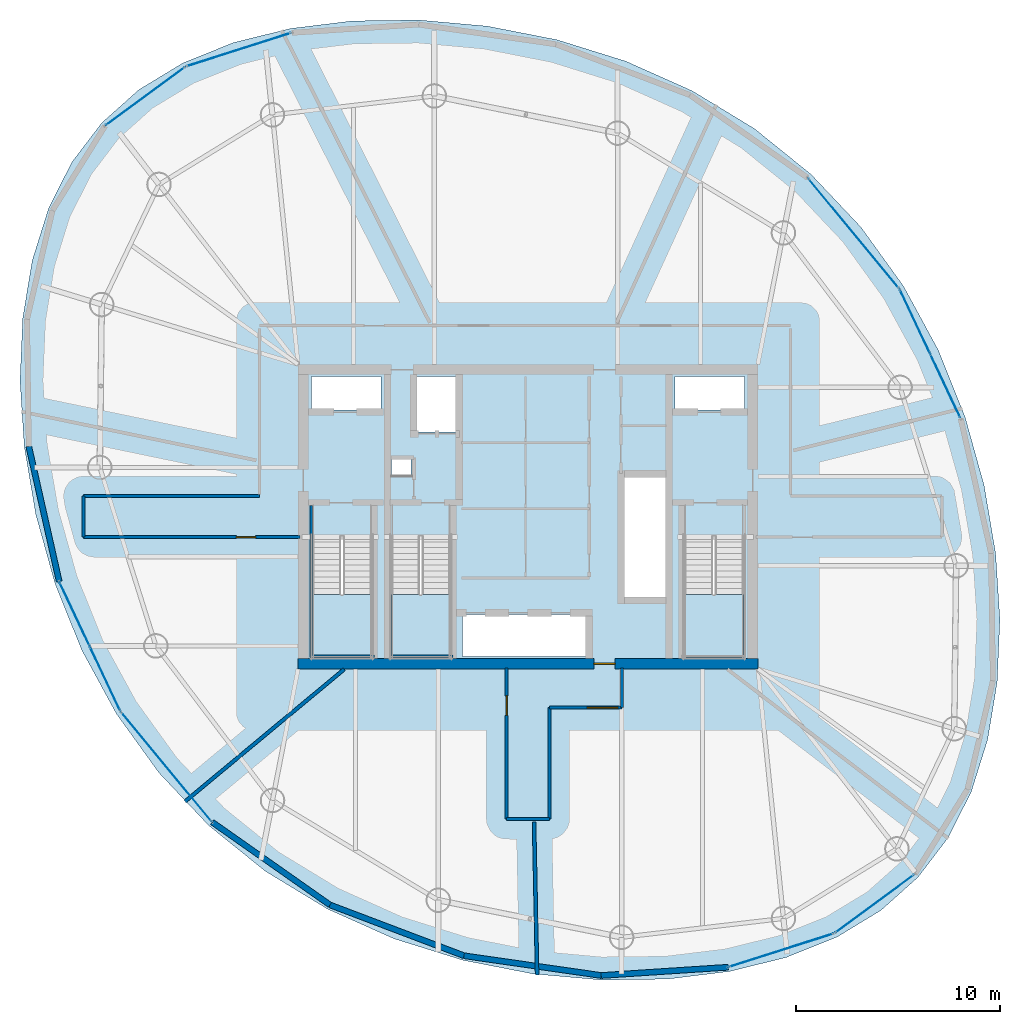
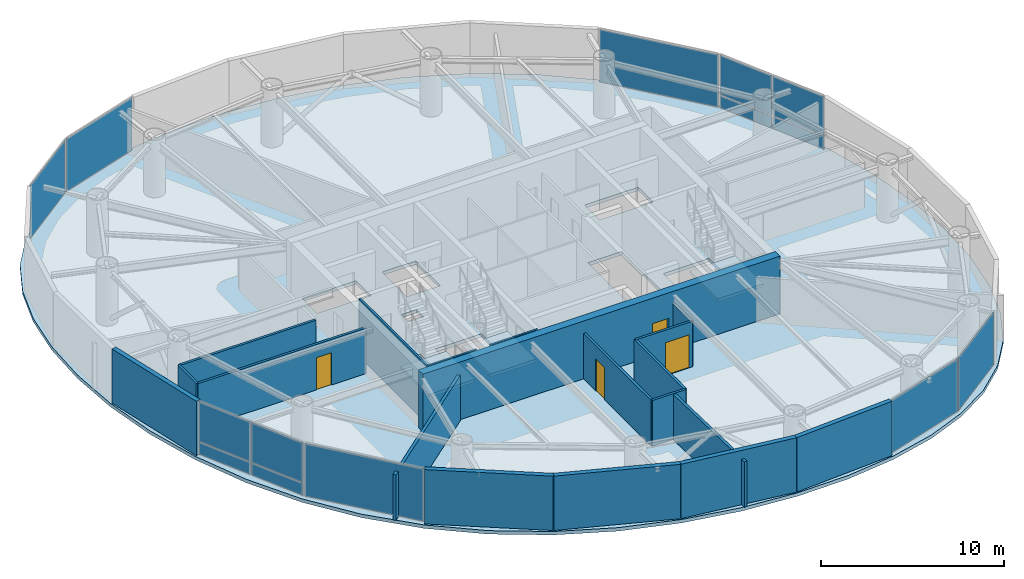
# One storey, part 13 of 20: 19 walls, 14 plates, 4 doors, 4 slabs, 4 openings, 11 elements without a shape of their own.
"""IFC4 building model written with IfcOpenShell, lengths in metres."""

from ifc_helpers import new_model, si_unit, direction, frame, frame_2d, origin, origin_2d, place, context, subcontext, project, spatial, polyline, rectangle, outline, extrude, material, layer, layer_set, type_object, element, fill, aggregate, save


model = new_model("IFC4")

# Units and contexts
model_context = context("Model", 3, precision=1e-05, world=origin(), true_north=direction((0.0, 1.0)))
body_context = subcontext(model_context, "Body", "Model", "MODEL_VIEW")
ifc_project = project(units=[si_unit("LENGTHUNIT", "METRE"), si_unit("AREAUNIT", "SQUARE_METRE"), si_unit("VOLUMEUNIT", "CUBIC_METRE"), si_unit("PLANEANGLEUNIT", "RADIAN"), si_unit("MASSUNIT", "GRAM", prefix="KILO")], contexts=[model_context])

# Site, building, storey
site_placement = place(None, origin())
site = spatial("IfcSite", under=ifc_project, at=site_placement, CompositionType="ELEMENT")
building_placement = place(site_placement, origin())
building = spatial("IfcBuilding", under=site, at=building_placement, Name="Bramvorn Convention Spire", CompositionType="ELEMENT")
storey_placement = place(building_placement, frame((0.0, 0.0, 202.0)))
storey = spatial("IfcBuildingStorey", under=building, at=storey_placement, Name="L51", CompositionType="ELEMENT", Elevation=202.0)

# Curtain wall, plates
ifc_material_1 = material(Name="Anodised Bronze Unitised Curtain Wall", Category="aluminium")
ifc_layer_1 = layer(ifc_material_1, 0.179931640625)
ifc_layer_set_1 = layer_set([ifc_layer_1], Name="Anodised Bronze Unitised Curtain Wall - CW-OFF-FRIT")
curtain_wall_type = type_object("IfcCurtainWallType", Name="CW-OFF-FRIT", PredefinedType="USERDEFINED", material=ifc_layer_set_1)
curtain_wall_1_placement = place(storey_placement, origin())
curtain_wall_1 = element("IfcCurtainWall", 1, at=curtain_wall_1_placement, inside=storey, type_object=curtain_wall_type, Name="L51 fritted glass curtain wall 05", ObjectType="UNITISED CURTAIN WALL", PredefinedType="USERDEFINED")
ifc_material_2 = material(Name="Laminated Low-E Glass (Triple IGU Solar Bronze Frit 28%)", Category="glass")
ifc_layer_2 = layer(ifc_material_2, 0.0400390625)
ifc_layer_set_2 = layer_set([ifc_layer_2], Name="Laminated Low-E Glass (Triple IGU Solar Bronze Frit 28%) - PNL-IGU-3")
plate_type = type_object("IfcPlateType", Name="PNL-IGU-3", PredefinedType="CURTAIN_PANEL", material=ifc_layer_set_2)
plate_1_placement = place(storey_placement, frame((56.939453125, 35.55224609375, 0.06005859375), z_axis=(0.0, 0.0, 1.0), x_axis=(0.426714343766, -0.904386459885, 0.0)))
plate_1 = element("IfcPlate", 2, at=plate_1_placement, type_object=plate_type, Name="CW3 panel 1.1", PredefinedType="CURTAIN_PANEL", context=body_context, shape_type="SweptSolid", body=[
    extrude(rectangle(XDim=3.418701171875, YDim=0.028076171875, at=origin_2d()), origin(), (0.0, 0.0, 1.0), 0.81005859375),
])
plate_2_placement = place(storey_placement, frame((56.939453125, 35.55224609375, 0.93017578125), z_axis=(0.0, 0.0, 1.0), x_axis=(0.426714343766, -0.904386459885, 0.0)))
plate_2 = element("IfcPlate", 3, at=plate_2_placement, type_object=plate_type, Name="CW3 panel 1.2", PredefinedType="CURTAIN_PANEL", context=body_context, shape_type="SweptSolid", body=[
    extrude(rectangle(XDim=3.418701171875, YDim=0.028076171875, at=origin_2d()), origin(), (0.0, 0.0, 1.0), 2.6298828125),
])
plate_3_placement = place(storey_placement, frame((58.423828125, 32.406005859375, 0.06005859375), z_axis=(0.0, 0.0, 1.0), x_axis=(0.426714343766, -0.904386459885, 0.0)))
plate_3 = element("IfcPlate", 4, at=plate_3_placement, type_object=plate_type, Name="CW3 panel 2.1", PredefinedType="CURTAIN_PANEL", context=body_context, shape_type="SweptSolid", body=[
    extrude(rectangle(XDim=3.418701171875, YDim=0.028076171875, at=origin_2d()), origin(), (0.0, 0.0, 1.0), 0.81005859375),
])
plate_4_placement = place(storey_placement, frame((58.423828125, 32.406005859375, 0.93017578125), z_axis=(0.0, 0.0, 1.0), x_axis=(0.426714343766, -0.904386459885, 0.0)))
plate_4 = element("IfcPlate", 5, at=plate_4_placement, type_object=plate_type, Name="CW3 panel 2.2", PredefinedType="CURTAIN_PANEL", context=body_context, shape_type="SweptSolid", body=[
    extrude(rectangle(XDim=3.418701171875, YDim=0.028076171875, at=origin_2d()), origin(), (0.0, 0.0, 1.0), 2.6298828125),
])
aggregate(curtain_wall_1, [plate_1, plate_2, plate_3, plate_4])

# Curtain wall, plate
curtain_wall_2_placement = place(storey_placement, origin())
curtain_wall_2 = element("IfcCurtainWall", 6, at=curtain_wall_2_placement, inside=storey, type_object=curtain_wall_type, Name="L51 fritted glass curtain wall 06", ObjectType="UNITISED CURTAIN WALL", PredefinedType="USERDEFINED")
plate_5_placement = place(storey_placement, frame((53.938720703125, 39.86669921875, 0.06005859375), z_axis=(0.0, 0.0, 1.0), x_axis=(0.637486087229, -0.770461867057, 0.0)))
plate_5 = element("IfcPlate", 7, at=plate_5_placement, type_object=plate_type, Name="CW3 panel 1.1", PredefinedType="CURTAIN_PANEL", context=body_context, shape_type="SweptSolid", body=[
    extrude(rectangle(XDim=6.925537109375, YDim=0.028076171875, at=origin_2d()), origin(), (0.0, 0.0, 1.0), 3.5),
])
aggregate(curtain_wall_2, [plate_5])

curtain_wall_3_placement = place(storey_placement, origin())
curtain_wall_3 = element("IfcCurtainWall", 8, at=curtain_wall_3_placement, inside=storey, type_object=curtain_wall_type, Name="L51 fritted glass curtain wall 11", ObjectType="UNITISED CURTAIN WALL", PredefinedType="USERDEFINED")
plate_6_placement = place(storey_placement, frame((23.83544921875, 48.8515625, 0.06005859375), z_axis=(0.0, 0.0, 1.0), x_axis=(0.952679846879, 0.303975507813, 0.0)))
plate_6 = element("IfcPlate", 9, at=plate_6_placement, type_object=plate_type, Name="CW3 panel 1.1", PredefinedType="CURTAIN_PANEL", context=body_context, shape_type="SweptSolid", body=[
    extrude(rectangle(XDim=5.344482421875, YDim=0.028076171875, at=origin_2d()), origin(), (0.0, 0.0, 1.0), 3.5),
])
aggregate(curtain_wall_3, [plate_6])

curtain_wall_4_placement = place(storey_placement, origin())
curtain_wall_4 = element("IfcCurtainWall", 10, at=curtain_wall_4_placement, inside=storey, type_object=curtain_wall_type, Name="L51 fritted glass curtain wall 12", ObjectType="UNITISED CURTAIN WALL", PredefinedType="USERDEFINED")
plate_7_placement = place(storey_placement, frame((19.26953125, 46.574951171875, 0.06005859375), z_axis=(0.0, 0.0, 1.0), x_axis=(0.805067692583, 0.593182948473, 0.0)))
plate_7 = element("IfcPlate", 11, at=plate_7_placement, type_object=plate_type, Name="CW3 panel 1.1", PredefinedType="CURTAIN_PANEL", context=body_context, shape_type="SweptSolid", body=[
    extrude(rectangle(XDim=4.75634765625, YDim=0.028076171875, at=origin_2d()), origin(), (0.0, 0.0, 1.0), 3.5),
])
aggregate(curtain_wall_4, [plate_7])

# Curtain wall, plates
curtain_wall_5_placement = place(storey_placement, origin())
curtain_wall_5 = element("IfcCurtainWall", 12, at=curtain_wall_5_placement, inside=storey, type_object=curtain_wall_type, Name="L51 fritted glass curtain wall 17", ObjectType="UNITISED CURTAIN WALL", PredefinedType="USERDEFINED")
plate_8_placement = place(storey_placement, frame((17.29833984375, 18.076904296875, 0.06005859375), z_axis=(0.0, 0.0, 1.0), x_axis=(-0.426720499609, 0.904383555364, 0.0)))
plate_8 = element("IfcPlate", 13, at=plate_8_placement, type_object=plate_type, Name="CW3 panel 1.1", PredefinedType="CURTAIN_PANEL", context=body_context, shape_type="SweptSolid", body=[
    extrude(rectangle(XDim=3.4189453125, YDim=0.028076171875, at=origin_2d()), origin(), (0.0, 0.0, 1.0), 0.81005859375),
])
plate_9_placement = place(storey_placement, frame((17.29833984375, 18.076904296875, 0.93017578125), z_axis=(0.0, 0.0, 1.0), x_axis=(-0.426720499609, 0.904383555364, 0.0)))
plate_9 = element("IfcPlate", 14, at=plate_9_placement, type_object=plate_type, Name="CW3 panel 1.2", PredefinedType="CURTAIN_PANEL", context=body_context, shape_type="SweptSolid", body=[
    extrude(rectangle(XDim=3.4189453125, YDim=0.028076171875, at=origin_2d()), origin(), (0.0, 0.0, 1.0), 2.6298828125),
])
plate_10_placement = place(storey_placement, frame((15.813720703125, 21.22314453125, 0.06005859375), z_axis=(0.0, 0.0, 1.0), x_axis=(-0.426720499609, 0.904383555364, 0.0)))
plate_10 = element("IfcPlate", 15, at=plate_10_placement, type_object=plate_type, Name="CW3 panel 2.1", PredefinedType="CURTAIN_PANEL", context=body_context, shape_type="SweptSolid", body=[
    extrude(rectangle(XDim=3.4189453125, YDim=0.028076171875, at=origin_2d()), origin(), (0.0, 0.0, 1.0), 0.81005859375),
])
plate_11_placement = place(storey_placement, frame((15.813720703125, 21.22314453125, 0.93017578125), z_axis=(0.0, 0.0, 1.0), x_axis=(-0.426720499609, 0.904383555364, 0.0)))
plate_11 = element("IfcPlate", 16, at=plate_11_placement, type_object=plate_type, Name="CW3 panel 2.2", PredefinedType="CURTAIN_PANEL", context=body_context, shape_type="SweptSolid", body=[
    extrude(rectangle(XDim=3.4189453125, YDim=0.028076171875, at=origin_2d()), origin(), (0.0, 0.0, 1.0), 2.6298828125),
])
aggregate(curtain_wall_5, [plate_8, plate_9, plate_10, plate_11])

# Curtain wall, plate
curtain_wall_6_placement = place(storey_placement, origin())
curtain_wall_6 = element("IfcCurtainWall", 17, at=curtain_wall_6_placement, inside=storey, type_object=curtain_wall_type, Name="L51 fritted glass curtain wall 18", ObjectType="UNITISED CURTAIN WALL", PredefinedType="USERDEFINED")
plate_12_placement = place(storey_placement, frame((20.299072265625, 13.762451171875, 0.06005859375), z_axis=(0.0, 0.0, 1.0), x_axis=(-0.637484633072, 0.770463070236, 0.0)))
plate_12 = element("IfcPlate", 18, at=plate_12_placement, type_object=plate_type, Name="CW3 panel 1.1", PredefinedType="CURTAIN_PANEL", context=body_context, shape_type="SweptSolid", body=[
    extrude(rectangle(XDim=6.925537109375, YDim=0.028076171875, at=origin_2d()), origin(), (0.0, 0.0, 1.0), 3.5),
])
aggregate(curtain_wall_6, [plate_12])

curtain_wall_7_placement = place(storey_placement, origin())
curtain_wall_7 = element("IfcCurtainWall", 19, at=curtain_wall_7_placement, inside=storey, type_object=curtain_wall_type, Name="L51 fritted glass curtain wall 23", ObjectType="UNITISED CURTAIN WALL", PredefinedType="USERDEFINED")
plate_13_placement = place(storey_placement, frame((50.402099609375, 4.77734375, 0.06005859375), z_axis=(0.0, 0.0, 1.0), x_axis=(-0.952679846879, -0.303975507813, 0.0)))
plate_13 = element("IfcPlate", 20, at=plate_13_placement, type_object=plate_type, Name="CW3 panel 1.1", PredefinedType="CURTAIN_PANEL", context=body_context, shape_type="SweptSolid", body=[
    extrude(rectangle(XDim=5.344482421875, YDim=0.028076171875, at=origin_2d()), origin(), (0.0, 0.0, 1.0), 3.5),
])
aggregate(curtain_wall_7, [plate_13])

curtain_wall_8_placement = place(storey_placement, origin())
curtain_wall_8 = element("IfcCurtainWall", 21, at=curtain_wall_8_placement, inside=storey, type_object=curtain_wall_type, Name="L51 fritted glass curtain wall 24", ObjectType="UNITISED CURTAIN WALL", PredefinedType="USERDEFINED")
plate_14_placement = place(storey_placement, frame((54.968017578125, 7.05419921875, 0.06005859375), z_axis=(0.0, 0.0, 1.0), x_axis=(-0.805067692583, -0.593182948473, 0.0)))
plate_14 = element("IfcPlate", 22, at=plate_14_placement, type_object=plate_type, Name="CW3 panel 1.1", PredefinedType="CURTAIN_PANEL", context=body_context, shape_type="SweptSolid", body=[
    extrude(rectangle(XDim=4.75634765625, YDim=0.028076171875, at=origin_2d()), origin(), (0.0, 0.0, 1.0), 3.5),
])
aggregate(curtain_wall_8, [plate_14])

# Stair, slab
ifc_material_3 = material(Name="Concrete C40/50 Precast Stair", Category="concrete")
stair_type = type_object("IfcStairType", Name="ST-TOWER-1550", PredefinedType="HALF_TURN_STAIR", material=ifc_material_3)
stair_1_placement = place(storey_placement, origin())
stair_1 = element("IfcStair", 23, at=stair_1_placement, inside=storey, type_object=stair_type, Name="L51 Protected Exit Stair ST1", PredefinedType="HALF_TURN_STAIR")
ifc_material_4 = material(Name="Concrete C40/50 Stair Landing", Category="concrete")
ifc_layer_3 = layer(ifc_material_4, 0.219970703125)
ifc_layer_set_3 = layer_set([ifc_layer_3], Name="Concrete C40/50 Stair Landing - SLB-STAIR-LANDING")
slab_type_1 = type_object("IfcSlabType", Name="SLB-STAIR-LANDING", PredefinedType="LANDING", material=ifc_layer_set_3)
slab_1_placement = place(storey_placement, frame((0.0, 0.0, 1.72509765625)))
slab_1 = element("IfcSlab", 24, at=slab_1_placement, type_object=slab_type_1, Name="ST1 landing 1", PredefinedType="LANDING", context=body_context, shape_type="SweptSolid", body=[
    extrude(outline(polyline([(27.449951171875, 22.199951171875), (27.449951171875, 19.10009765625), (30.35009765625, 19.10009765625), (30.35009765625, 22.199951171875), (27.449951171875, 22.199951171875)])), origin(), (0.0, 0.0, 1.0), 0.199951171875),
])
aggregate(stair_1, [slab_1])

stair_2_placement = place(storey_placement, origin())
stair_2 = element("IfcStair", 25, at=stair_2_placement, inside=storey, type_object=stair_type, Name="L51 Protected Exit Stair ST2", PredefinedType="HALF_TURN_STAIR")
slab_2_placement = place(storey_placement, frame((0.0, 0.0, 1.72509765625)))
slab_2 = element("IfcSlab", 26, at=slab_2_placement, type_object=slab_type_1, Name="ST2 landing 1", PredefinedType="LANDING", context=body_context, shape_type="SweptSolid", body=[
    extrude(outline(polyline([(45.64990234375, 22.199951171875), (45.64990234375, 19.10009765625), (48.550048828125, 19.10009765625), (48.550048828125, 22.199951171875), (45.64990234375, 22.199951171875)])), origin(), (0.0, 0.0, 1.0), 0.199951171875),
])
aggregate(stair_2, [slab_2])

stair_3_placement = place(storey_placement, origin())
stair_3 = element("IfcStair", 27, at=stair_3_placement, inside=storey, type_object=stair_type, Name="L51 Protected Exit Stair ST3", PredefinedType="HALF_TURN_STAIR")
slab_3_placement = place(storey_placement, frame((0.0, 0.0, 1.72509765625)))
slab_3 = element("IfcSlab", 28, at=slab_3_placement, type_object=slab_type_1, Name="ST3 landing 1", PredefinedType="LANDING", context=body_context, shape_type="SweptSolid", body=[
    extrude(outline(polyline([(31.300048828125, 22.199951171875), (31.300048828125, 19.10009765625), (34.199951171875, 19.10009765625), (34.199951171875, 22.199951171875), (31.300048828125, 22.199951171875)])), origin(), (0.0, 0.0, 1.0), 0.199951171875),
])
aggregate(stair_3, [slab_3])

# Slab
ifc_material_5 = material(Name="Concrete C40/50", Category="concrete")
ifc_layer_4 = layer(ifc_material_5, 0.22998046875)
ifc_layer_set_4 = layer_set([ifc_layer_4], Name="Concrete C40/50 - SLB-Z3-230")
slab_type_2 = type_object("IfcSlabType", Name="SLB-Z3-230", PredefinedType="FLOOR", material=ifc_layer_set_4)
slab_4_placement = place(storey_placement, frame((0.0, 0.0, -0.22998046875)))
element("IfcSlab", 29, at=slab_4_placement, inside=storey, type_object=slab_type_2, Name="L51 tower floor slab", PredefinedType="FLOOR", context=body_context, shape_type="SweptSolid", body=[
    extrude(outline(polyline([(57.09228515625, 8.351318359375), (58.564697265625, 10.286865234375), (59.698486328125, 12.535888671875), (60.497802734375, 15.08544921875), (60.965576171875, 17.909423828125), (61.098876953125, 20.9658203125), (60.889892578125, 24.19580078125), (60.326416015625, 27.527099609375), (59.394287109375, 30.876708984375), (58.080810546875, 34.15673828125), (56.38037109375, 37.280517578125), (54.29833984375, 40.1689453125), (51.854248046875, 42.755126953125), (49.084228515625, 44.989013671875), (46.041259765625, 46.837890625), (42.793701171875, 48.287841796875), (39.420654296875, 49.340087890625), (36.00830078125, 50.006591796875), (32.64306640625, 50.306884765625), (29.406494140625, 50.26171875), (26.370361328125, 49.88916015625), (23.591552734375, 49.201416015625), (21.112548828125, 48.204345703125), (18.95947265625, 46.897705078125), (17.145263671875, 45.27783203125), (15.6728515625, 43.34228515625), (14.539306640625, 41.09326171875), (13.73974609375, 38.543701171875), (13.272216796875, 35.719482421875), (13.138916015625, 32.663330078125), (13.34765625, 29.433349609375), (13.9111328125, 26.10205078125), (14.843505859375, 22.75244140625), (16.156982421875, 19.472412109375), (17.857177734375, 16.348388671875), (19.939208984375, 13.460205078125), (22.38330078125, 10.873779296875), (25.1533203125, 8.64013671875), (28.1962890625, 6.791259765625), (31.444091796875, 5.34130859375), (34.81689453125, 4.2890625), (38.2294921875, 3.62255859375), (41.594482421875, 3.322265625), (44.8310546875, 3.367431640625), (47.867431640625, 3.739990234375), (50.64599609375, 4.427734375), (53.125244140625, 5.4248046875), (55.2783203125, 6.7314453125), (57.09228515625, 8.351318359375)]), holes=[polyline([(27.449951171875, 25.050048828125), (27.449951171875, 19.10009765625), (30.35009765625, 19.10009765625), (30.35009765625, 25.050048828125), (27.449951171875, 25.050048828125)]), polyline([(45.64990234375, 25.050048828125), (45.64990234375, 19.10009765625), (48.550048828125, 19.10009765625), (48.550048828125, 25.050048828125), (45.64990234375, 25.050048828125)]), polyline([(31.300048828125, 25.050048828125), (31.300048828125, 19.10009765625), (34.199951171875, 19.10009765625), (34.199951171875, 25.050048828125), (31.300048828125, 25.050048828125)]), polyline([(27.39990234375, 31.219970703125), (30.800048828125, 31.219970703125), (30.800048828125, 32.85009765625), (27.39990234375, 32.85009765625), (27.39990234375, 31.219970703125)]), polyline([(45.199951171875, 31.219970703125), (48.60009765625, 31.219970703125), (48.60009765625, 32.85009765625), (45.199951171875, 32.85009765625), (45.199951171875, 31.219970703125)]), polyline([(32.449951171875, 30.14990234375), (34.56005859375, 30.14990234375), (34.56005859375, 32.85009765625), (32.449951171875, 32.85009765625), (32.449951171875, 30.14990234375)]), polyline([(34.800048828125, 19.14990234375), (40.97998046875, 19.14990234375), (40.97998046875, 21.199951171875), (34.800048828125, 21.199951171875), (34.800048828125, 19.14990234375)]), polyline([(42.6201171875, 22.0), (44.75, 22.0), (44.75, 28.0), (42.6201171875, 28.0), (42.6201171875, 22.0)]), polyline([(31.320068359375, 28.02001953125), (32.280029296875, 28.02001953125), (32.280029296875, 28.820068359375), (31.320068359375, 28.820068359375), (31.320068359375, 28.02001953125)])]), origin(), (0.0, 0.0, 1.0), 0.22998046875),
])

# Wall, opening, door
ifc_material_6 = material(Name="Concrete C50/60", Category="concrete")
ifc_layer_5 = layer(ifc_material_6, 0.5)
ifc_layer_set_5 = layer_set([ifc_layer_5], Name="Concrete C50/60 - WL-CORE-500")
wall_type_1 = type_object("IfcWallType", Name="WL-CORE-500", PredefinedType="SHEAR", material=ifc_layer_set_5)
wall_1_placement = place(storey_placement, frame((26.75, 18.800048828125, 0.0), z_axis=(0.0, 0.0, 1.0), x_axis=(1.0, 0.0, 0.0)))
wall_1 = element("IfcWall", 30, at=wall_1_placement, inside=storey, type_object=wall_type_1, Name="L51 South RC core shear wall", PredefinedType="SHEAR", context=body_context, shape_type="SweptSolid", body=[
    extrude(rectangle(XDim=22.5, YDim=0.5, at=frame_2d((11.25, 0.0))), origin(), (0.0, 0.0, 1.0), 3.85009765625),
])
opening_1_placement = place(wall_1_placement, frame((14.469970703125, 0.0, 0.0)))
opening_1 = element("IfcOpeningElement", 31, at=opening_1_placement, cuts=wall_1, Name="Opening DL-105", PredefinedType="OPENING", context=body_context, shape_type="SweptSolid", body=[
    extrude(rectangle(XDim=1.050048828125, YDim=2.14990234375, at=frame_2d((0.52490234375, 1.074951171875))), frame((0.0, 0.260009765625, 0.0), z_axis=(0.0, -1.0, 0.0), x_axis=(1.0, 0.0, 0.0)), (0.0, 0.0, 1.0), 0.52001953125),
])
ifc_material_7 = material(Name="Smoke-Sealed Fire Lobby Timber-Core Door", Category="wood")
door_type_1 = type_object("IfcDoorType", Name="DR-LOBBY-1050", OperationType="NOTDEFINED", PredefinedType="DOOR", material=ifc_material_7)
door_1_placement = place(opening_1_placement, origin())
door_1 = element("IfcDoor", 32, at=door_1_placement, inside=storey, type_object=door_type_1, Name="L51 South Lift Lobby fire door", OperationType="SINGLE_SWING_RIGHT", OverallHeight=2.14990234375, OverallWidth=1.050048828125, PredefinedType="DOOR", context=body_context, shape_type="SweptSolid", body=[
    extrude(rectangle(XDim=1.050048828125, YDim=2.14990234375, at=frame_2d((0.52490234375, 1.074951171875))), frame((0.0, 0.02490234375, 0.0), z_axis=(0.0, -1.0, 0.0), x_axis=(1.0, 0.0, 0.0)), (0.0, 0.0, 1.0), 0.050048828125),
])
fill(opening_1, door_1)

# Walls
ifc_material_8 = material(Name="Precast Concrete C40/50 with Bronze Terracotta Rainscreen", Category="masonry")
ifc_layer_6 = layer(ifc_material_8, 0.300048828125)
ifc_layer_set_6 = layer_set([ifc_layer_6], Name="Precast Concrete C40/50 with Bronze Terracotta Rainscreen - WL-EXT-BRONZE-300")
wall_type_2 = type_object("IfcWallType", Name="WL-EXT-BRONZE-300", PredefinedType="SOLIDWALL", material=ifc_layer_set_6)
wall_2_placement = place(storey_placement, frame((15.05859375, 22.823486328125, 0.0), z_axis=(0.0, 0.0, 1.0), x_axis=(-0.219802471022, 0.975544398648, 0.0)))
element("IfcWall", 33, at=wall_2_placement, inside=storey, type_object=wall_type_2, Name="L51 expressed bronze Gothic lancet pier wall 16", PredefinedType="SOLIDWALL", context=body_context, shape_type="SweptSolid", body=[
    extrude(rectangle(XDim=6.784423828125, YDim=0.280029296875, at=frame_2d((3.39208984375, 0.0))), origin(), (0.0, 0.0, 1.0), 3.6201171875),
])
wall_3_placement = place(storey_placement, frame((28.30859375, 6.99658203125, 0.0), z_axis=(0.0, 0.0, 1.0), x_axis=(-0.818095643042, 0.575082184418, 0.0)))
element("IfcWall", 34, at=wall_3_placement, inside=storey, type_object=wall_type_2, Name="L51 expressed bronze Gothic lancet pier wall 19", PredefinedType="SOLIDWALL", context=body_context, shape_type="SweptSolid", body=[
    extrude(rectangle(XDim=7.04541015625, YDim=0.280029296875, at=frame_2d((3.522705078125, 0.0))), origin(), (0.0, 0.0, 1.0), 3.6201171875),
])
wall_4_placement = place(storey_placement, frame((34.87060546875, 4.50927734375, 0.0), z_axis=(0.0, 0.0, 1.0), x_axis=(-0.935079448988, 0.354438180902, 0.0)))
element("IfcWall", 35, at=wall_4_placement, inside=storey, type_object=wall_type_2, Name="L51 expressed bronze Gothic lancet pier wall 20", PredefinedType="SOLIDWALL", context=body_context, shape_type="SweptSolid", body=[
    extrude(rectangle(XDim=7.017578125, YDim=0.280029296875, at=frame_2d((3.5087890625, 0.0))), origin(), (0.0, 0.0, 1.0), 3.6201171875),
])
wall_5_placement = place(storey_placement, frame((41.5859375, 3.5419921875, 0.0), z_axis=(0.0, 0.0, 1.0), x_axis=(-0.989784738796, 0.142569880575, 0.0)))
element("IfcWall", 36, at=wall_5_placement, inside=storey, type_object=wall_type_2, Name="L51 expressed bronze Gothic lancet pier wall 21", PredefinedType="SOLIDWALL", context=body_context, shape_type="SweptSolid", body=[
    extrude(rectangle(XDim=6.78466796875, YDim=0.280029296875, at=frame_2d((3.392333984375, 0.0))), origin(), (0.0, 0.0, 1.0), 3.6201171875),
])
wall_6_placement = place(storey_placement, frame((47.799072265625, 3.947021484375, 0.0), z_axis=(0.0, 0.0, 1.0), x_axis=(-0.997881932346, -0.065051126793, 0.0)))
element("IfcWall", 37, at=wall_6_placement, inside=storey, type_object=wall_type_2, Name="L51 expressed bronze Gothic lancet pier wall 22", PredefinedType="SOLIDWALL", context=body_context, shape_type="SweptSolid", body=[
    extrude(rectangle(XDim=6.226318359375, YDim=0.280029296875, at=frame_2d((3.11328125, 0.0))), origin(), (0.0, 0.0, 1.0), 3.6201171875),
])
ifc_material_9 = material(Name="Acoustic Metal-Stud Tenant/Corridor Partition", Category="gypsum")
ifc_layer_7 = layer(ifc_material_9, 0.14990234375)
ifc_layer_set_7 = layer_set([ifc_layer_7], Name="Acoustic Metal-Stud Tenant/Corridor Partition - WL-PART-150")
wall_type_3 = type_object("IfcWallType", Name="WL-PART-150", PredefinedType="PARTITIONING", material=ifc_layer_set_7)
wall_7_placement = place(storey_placement, frame((16.2568359375, 27.0, 0.0), z_axis=(0.0, 0.0, 1.0), x_axis=(1.0, 0.0, 0.0)))
element("IfcWall", 38, at=wall_7_placement, inside=storey, type_object=wall_type_3, Name="L51 West wing spine north wall", PredefinedType="PARTITIONING", context=body_context, shape_type="SweptSolid", body=[
    extrude(rectangle(XDim=8.59326171875, YDim=0.14990234375, at=frame_2d((4.296630859375, 0.0))), origin(), (0.0, 0.0, 1.0), 3.034912109375),
])

# Wall, opening, door
wall_8_placement = place(storey_placement, frame((16.2568359375, 25.0, 0.0), z_axis=(0.0, 0.0, 1.0), x_axis=(1.0, 0.0, 0.0)))
wall_8 = element("IfcWall", 39, at=wall_8_placement, inside=storey, type_object=wall_type_3, Name="L51 West wing spine south wall", PredefinedType="PARTITIONING", context=body_context, shape_type="SweptSolid", body=[
    extrude(rectangle(XDim=10.59326171875, YDim=0.14990234375, at=frame_2d((5.296630859375, 0.0))), origin(), (0.0, 0.0, 1.0), 3.034912109375),
])
opening_2_placement = place(wall_8_placement, frame((7.469970703125, 0.0, 0.0)))
opening_2 = element("IfcOpeningElement", 40, at=opening_2_placement, cuts=wall_8, Name="Opening DH-095", PredefinedType="OPENING", context=body_context, shape_type="SweptSolid", body=[
    extrude(rectangle(XDim=0.949951171875, YDim=2.14990234375, at=frame_2d((0.47509765625, 1.074951171875))), frame((0.0, 0.0849609375, 0.0), z_axis=(0.0, -1.0, 0.0), x_axis=(1.0, 0.0, 0.0)), (0.0, 0.0, 1.0), 0.169921875),
])
ifc_material_10 = material(Name="Solid-Core Acoustic Guestroom Entry Door", Category="wood")
door_type_2 = type_object("IfcDoorType", Name="DR-HOTEL-950", OperationType="NOTDEFINED", PredefinedType="DOOR", material=ifc_material_10)
door_2_placement = place(opening_2_placement, origin())
door_2 = element("IfcDoor", 41, at=door_2_placement, inside=storey, type_object=door_type_2, Name="L51 C-Suite Meeting Boardroom 4 door", OperationType="SINGLE_SWING_RIGHT", OverallHeight=2.14990234375, OverallWidth=0.949951171875, PredefinedType="DOOR", context=body_context, shape_type="SweptSolid", body=[
    extrude(rectangle(XDim=0.949951171875, YDim=2.14990234375, at=frame_2d((0.47509765625, 1.074951171875))), frame((0.0, 0.02490234375, 0.0), z_axis=(0.0, -1.0, 0.0), x_axis=(1.0, 0.0, 0.0)), (0.0, 0.0, 1.0), 0.050048828125),
])
fill(opening_2, door_2)

# Wall
wall_9_placement = place(storey_placement, frame((16.2568359375, 25.0, 0.0), z_axis=(0.0, 0.0, 1.0), x_axis=(0.0, 1.0, 0.0)))
element("IfcWall", 42, at=wall_9_placement, inside=storey, type_object=wall_type_3, Name="L51 West wing spine end wall", PredefinedType="PARTITIONING", context=body_context, shape_type="SweptSolid", body=[
    extrude(rectangle(XDim=2.0, YDim=0.14990234375, at=frame_2d((1.0, 0.0))), origin(), (0.0, 0.0, 1.0), 3.034912109375),
])

# Wall, opening, door
wall_10_placement = place(storey_placement, frame((36.949951171875, 11.199951171875, 0.0), z_axis=(0.0, 0.0, 1.0), x_axis=(0.0, 1.0, 0.0)))
wall_10 = element("IfcWall", 43, at=wall_10_placement, inside=storey, type_object=wall_type_3, Name="L51 South axial spine west wall", PredefinedType="PARTITIONING", context=body_context, shape_type="SweptSolid", body=[
    extrude(rectangle(XDim=7.400146484375, YDim=0.14990234375, at=frame_2d((3.7001953125, 0.0))), origin(), (0.0, 0.0, 1.0), 3.034912109375),
])
opening_3_placement = place(wall_10_placement, frame((5.074951171875, 0.0, 0.0)))
opening_3 = element("IfcOpeningElement", 44, at=opening_3_placement, cuts=wall_10, Name="Opening DH-095", PredefinedType="OPENING", context=body_context, shape_type="SweptSolid", body=[
    extrude(rectangle(XDim=0.949951171875, YDim=2.14990234375, at=frame_2d((0.47509765625, 1.074951171875))), frame((0.0, 0.0849609375, 0.0), z_axis=(0.0, -1.0, 0.0), x_axis=(1.0, 0.0, 0.0)), (0.0, 0.0, 1.0), 0.169921875),
])
door_3_placement = place(opening_3_placement, origin())
door_3 = element("IfcDoor", 45, at=door_3_placement, inside=storey, type_object=door_type_2, Name="L51 Managing Director Office 5 door", OperationType="SINGLE_SWING_LEFT", OverallHeight=2.14990234375, OverallWidth=0.949951171875, PredefinedType="DOOR", context=body_context, shape_type="SweptSolid", body=[
    extrude(rectangle(XDim=0.949951171875, YDim=2.14990234375, at=frame_2d((0.47509765625, 1.074951171875))), frame((0.0, 0.02490234375, 0.0), z_axis=(0.0, -1.0, 0.0), x_axis=(1.0, 0.0, 0.0)), (0.0, 0.0, 1.0), 0.050048828125),
])
fill(opening_3, door_3)

# Wall
wall_11_placement = place(storey_placement, frame((39.050048828125, 11.199951171875, 0.0), z_axis=(0.0, 0.0, 1.0), x_axis=(0.0, 1.0, 0.0)))
element("IfcWall", 46, at=wall_11_placement, inside=storey, type_object=wall_type_3, Name="L51 South axial spine east wall", PredefinedType="PARTITIONING", context=body_context, shape_type="SweptSolid", body=[
    extrude(rectangle(XDim=5.449951171875, YDim=0.14990234375, at=frame_2d((2.72509765625, 0.0))), origin(), (0.0, 0.0, 1.0), 3.034912109375),
])

# Wall, opening, door
wall_12_placement = place(storey_placement, frame((39.050048828125, 16.64990234375, 0.0), z_axis=(0.0, 0.0, 1.0), x_axis=(1.0, 0.0, 0.0)))
wall_12 = element("IfcWall", 47, at=wall_12_placement, inside=storey, type_object=wall_type_3, Name="L51 South lift lobby link wall", PredefinedType="PARTITIONING", context=body_context, shape_type="SweptSolid", body=[
    extrude(rectangle(XDim=3.550048828125, YDim=0.14990234375, at=frame_2d((1.77490234375, 0.0))), origin(), (0.0, 0.0, 1.0), 3.034912109375),
])
opening_4_placement = place(wall_12_placement, frame((1.85009765625, 0.0, 0.0)))
opening_4 = element("IfcOpeningElement", 48, at=opening_4_placement, cuts=wall_12, Name="Opening DC-150", PredefinedType="OPENING", context=body_context, shape_type="SweptSolid", body=[
    extrude(rectangle(XDim=1.5, YDim=2.199951171875, at=frame_2d((0.75, 1.10009765625))), frame((0.0, 0.0849609375, 0.0), z_axis=(0.0, -1.0, 0.0), x_axis=(1.0, 0.0, 0.0)), (0.0, 0.0, 1.0), 0.169921875),
])
ifc_material_11 = material(Name="Double-Leaf Smoke-Control Corridor Door", Category="wood")
door_type_3 = type_object("IfcDoorType", Name="DR-COR-1500", OperationType="NOTDEFINED", PredefinedType="DOOR", material=ifc_material_11)
door_4_placement = place(opening_4_placement, origin())
door_4 = element("IfcDoor", 49, at=door_4_placement, inside=storey, type_object=door_type_3, Name="L51 Reception Gallery 6 door", OperationType="DOUBLE_DOOR_SINGLE_SWING", OverallHeight=2.199951171875, OverallWidth=1.5, PredefinedType="DOOR", context=body_context, shape_type="SweptSolid", body=[
    extrude(rectangle(XDim=1.5, YDim=2.199951171875, at=frame_2d((0.75, 1.10009765625))), frame((0.0, 0.02490234375, 0.0), z_axis=(0.0, -1.0, 0.0), x_axis=(1.0, 0.0, 0.0)), (0.0, 0.0, 1.0), 0.050048828125),
])
fill(opening_4, door_4)

# Walls
wall_13_placement = place(storey_placement, frame((42.60009765625, 16.64990234375, 0.0), z_axis=(0.0, 0.0, 1.0), x_axis=(0.0, 1.0, 0.0)))
element("IfcWall", 50, at=wall_13_placement, inside=storey, type_object=wall_type_3, Name="L51 South lift lobby east cheek", PredefinedType="PARTITIONING", context=body_context, shape_type="SweptSolid", body=[
    extrude(rectangle(XDim=1.9501953125, YDim=0.14990234375, at=frame_2d((0.97509765625, 0.0))), origin(), (0.0, 0.0, 1.0), 3.034912109375),
])
wall_14_placement = place(storey_placement, frame((36.949951171875, 11.199951171875, 0.0), z_axis=(0.0, 0.0, 1.0), x_axis=(1.0, 0.0, 0.0)))
element("IfcWall", 51, at=wall_14_placement, inside=storey, type_object=wall_type_3, Name="L51 South axial spine end wall", PredefinedType="PARTITIONING", context=body_context, shape_type="SweptSolid", body=[
    extrude(rectangle(XDim=2.10009765625, YDim=0.14990234375, at=frame_2d((1.050048828125, 0.0))), origin(), (0.0, 0.0, 1.0), 3.034912109375),
])
ifc_material_12 = material(Name="Double-Stud Acoustic Hotel/Suite Partition", Category="gypsum")
ifc_layer_8 = layer(ifc_material_12, 0.175048828125)
ifc_layer_set_8 = layer_set([ifc_layer_8], Name="Double-Stud Acoustic Hotel/Suite Partition - WL-PART-175")
wall_type_4 = type_object("IfcWallType", Name="WL-PART-175", PredefinedType="PARTITIONING", material=ifc_layer_set_8)
wall_15_placement = place(storey_placement, frame((29.0068359375, 18.530029296875, 0.0), z_axis=(0.0, 0.0, 1.0), x_axis=(-0.76922629078, -0.638976457761, 0.0)))
element("IfcWall", 52, at=wall_15_placement, inside=storey, type_object=wall_type_4, Name="L51 Tenant suite partition 5", PredefinedType="PARTITIONING", context=body_context, shape_type="SweptSolid", body=[
    extrude(rectangle(XDim=10.12548828125, YDim=0.175048828125, at=frame_2d((5.062744140625, 0.0))), origin(), (0.0, 0.0, 1.0), 3.034912109375),
])
wall_16_placement = place(storey_placement, frame((38.298095703125, 11.06005859375, 0.0), z_axis=(0.0, 0.0, 1.0), x_axis=(0.019951031547, -0.999800958361, 0.0)))
element("IfcWall", 53, at=wall_16_placement, inside=storey, type_object=wall_type_4, Name="L51 Tenant suite partition 6", PredefinedType="PARTITIONING", context=body_context, shape_type="SweptSolid", body=[
    extrude(rectangle(XDim=7.489013671875, YDim=0.175048828125, at=frame_2d((3.74462890625, 0.0))), origin(), (0.0, 0.0, 1.0), 3.034912109375),
])
ifc_layer_9 = layer(ifc_material_6, 0.1201171875)
ifc_layer_set_9 = layer_set([ifc_layer_9], Name="Concrete C50/60 - WL-STAIR-RC-120")
wall_type_5 = type_object("IfcWallType", Name="WL-STAIR-RC-120", PredefinedType="SHEAR", material=ifc_layer_set_9)
wall_17_placement = place(storey_placement, frame((27.39501953125, 19.10009765625, 0.0), z_axis=(0.0, 0.0, 1.0), x_axis=(0.0, 1.0, 0.0)))
element("IfcWall", 54, at=wall_17_placement, inside=storey, type_object=wall_type_5, Name="L51 ST1 west bearing shear wall", PredefinedType="SHEAR", context=body_context, shape_type="SweptSolid", body=[
    extrude(rectangle(XDim=7.449951171875, YDim=0.1201171875, at=frame_2d((3.72509765625, 0.0))), origin(), (0.0, 0.0, 1.0), 3.85009765625),
])
wall_18_placement = place(storey_placement, frame((27.39501953125, 19.159912109375, 0.0), z_axis=(0.0, 0.0, 1.0), x_axis=(1.0, 0.0, 0.0)))
element("IfcWall", 55, at=wall_18_placement, inside=storey, type_object=wall_type_5, Name="L51 ST1 south bearing shear wall", PredefinedType="SHEAR", context=body_context, shape_type="SweptSolid", body=[
    extrude(rectangle(XDim=3.094970703125, YDim=0.1201171875, at=frame_2d((1.54736328125, 0.0))), origin(), (0.0, 0.0, 1.0), 3.85009765625),
])
wall_19_placement = place(storey_placement, frame((31.300048828125, 19.159912109375, 0.0), z_axis=(0.0, 0.0, 1.0), x_axis=(1.0, 0.0, 0.0)))
element("IfcWall", 56, at=wall_19_placement, inside=storey, type_object=wall_type_5, Name="L51 ST3 south bearing shear wall", PredefinedType="SHEAR", context=body_context, shape_type="SweptSolid", body=[
    extrude(rectangle(XDim=3.0400390625, YDim=0.1201171875, at=frame_2d((1.52001953125, 0.0))), origin(), (0.0, 0.0, 1.0), 3.85009765625),
])

save(model, "model.ifc")
